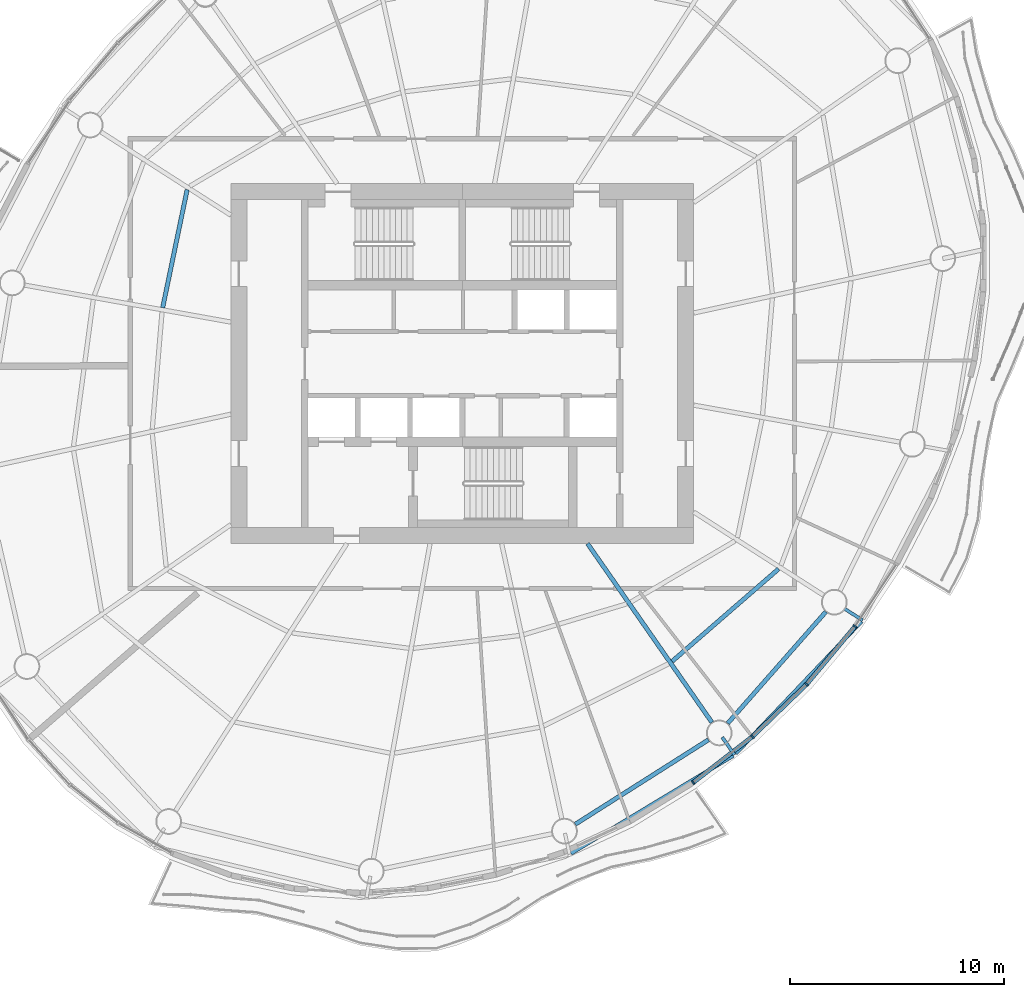
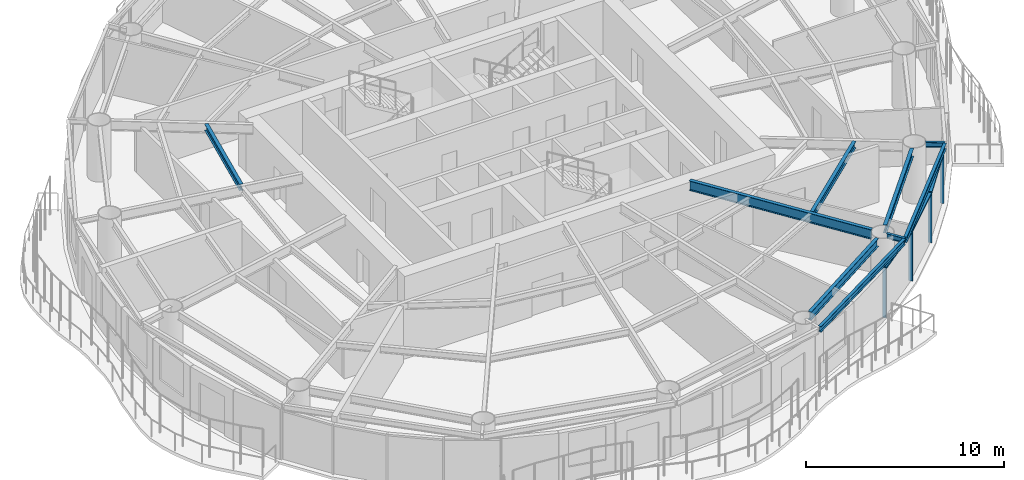
# One storey, part 3 of 15: 9 beams, 7 members, 4 elements without a shape of their own.
"""IFC4 building model written with IfcOpenShell, lengths in metres."""

from ifc_helpers import new_model, si_unit, direction, frame, origin, origin_2d, place, context, subcontext, project, spatial, rectangle, i_section, extrude, material, material_profile, profile_set, type_object, element, aggregate, save


model = new_model("IFC4")

# Units and contexts
model_context = context("Model", 3, precision=1e-05, world=origin(), true_north=direction((0.0, 1.0)))
body_context = subcontext(model_context, "Body", "Model", "MODEL_VIEW")
ifc_project = project(units=[si_unit("LENGTHUNIT", "METRE"), si_unit("AREAUNIT", "SQUARE_METRE"), si_unit("VOLUMEUNIT", "CUBIC_METRE"), si_unit("PLANEANGLEUNIT", "RADIAN"), si_unit("MASSUNIT", "GRAM", prefix="KILO")], contexts=[model_context])

# Site, building, storey
site_placement = place(None, origin())
site = spatial("IfcSite", under=ifc_project, at=site_placement, CompositionType="ELEMENT")
building_placement = place(site_placement, origin())
building = spatial("IfcBuilding", under=site, at=building_placement, Name="Vermilion Reach Broadcast Tower", CompositionType="ELEMENT")
storey_placement = place(building_placement, frame((0.0, 0.0, 220.89990234375)))
storey = spatial("IfcBuildingStorey", under=building, at=storey_placement, Name="L54", CompositionType="ELEMENT", Elevation=220.89990234375)

# Beams
ifc_material_1 = material(Name="Steel S355J2", Category="steel")
ifc_material_profile_1 = material_profile(ifc_material_1, i_section(OverallWidth=0.175048828125, OverallDepth=0.35009765625, WebThickness=0.007080078125, FlangeThickness=0.010986328125, at=origin_2d()), Name="S355J2 HN 350x175x7x11")
ifc_profile_set_1 = profile_set([ifc_material_profile_1], Name="Steel S355J2")
beam_type_1 = type_object("IfcBeamType", Name="EB4 HN 350x175x7x11", PredefinedType="BEAM", material=ifc_profile_set_1)
beam_1_placement = place(storey_placement, frame((-0.926513671875, -22.859619140625, 3.275146484375), z_axis=(0.85635221308, 0.516392183474, 0.0), x_axis=(-0.516392183474, 0.85635221308, 0.0)))
element("IfcBeam", 1, at=beam_1_placement, inside=storey, type_object=beam_type_1, Name="Edge beam EB4-11", PredefinedType="BEAM", context=body_context, shape_type="SweptSolid", body=[
    extrude(i_section(OverallWidth=0.175048828125, OverallDepth=0.35009765625, WebThickness=0.007080078125, FlangeThickness=0.010986328125, at=origin_2d()), origin(), (0.0, 0.0, 1.0), 8.83544921875),
])
beam_2_placement = place(storey_placement, frame((6.7568359375, -18.202880859375, 3.275146484375), z_axis=(0.689417470557, 0.724364239378, 0.0), x_axis=(-0.724364239378, 0.689417470557, 0.0)))
element("IfcBeam", 2, at=beam_2_placement, inside=storey, type_object=beam_type_1, Name="Edge beam EB4-12", PredefinedType="BEAM", context=body_context, shape_type="SweptSolid", body=[
    extrude(i_section(OverallWidth=0.175048828125, OverallDepth=0.35009765625, WebThickness=0.007080078125, FlangeThickness=0.010986328125, at=origin_2d()), origin(), (0.0, 0.0, 1.0), 8.51611328125),
])
ifc_material_2 = material(Name="Steel S355J2", Category="steel")
ifc_material_profile_2 = material_profile(ifc_material_2, i_section(OverallWidth=0.199951171875, OverallDepth=0.60009765625, WebThickness=0.010986328125, FlangeThickness=0.01708984375, at=origin_2d()), Name="S355J2 HN 600x200x11x17")
ifc_profile_set_2 = profile_set([ifc_material_profile_2], Name="Steel S355J2")
beam_type_2 = type_object("IfcBeamType", Name="G4 HN 600x200x11x17", PredefinedType="BEAM", material=ifc_profile_set_2)
beam_3_placement = place(storey_placement, frame((-0.1552734375, -8.39990234375, 3.150146484375), z_axis=(0.571134149017, -0.8208567377, 0.0), x_axis=(0.8208567377, 0.571134149017, 0.0)))
element("IfcBeam", 3, at=beam_3_placement, inside=storey, type_object=beam_type_2, Name="Girder G4-12", PredefinedType="BEAM", context=body_context, shape_type="SweptSolid", body=[
    extrude(i_section(OverallWidth=0.199951171875, OverallDepth=0.60009765625, WebThickness=0.010986328125, FlangeThickness=0.01708984375, at=origin_2d()), origin(), (0.0, 0.0, 1.0), 10.16552734375),
])
ifc_material_3 = material(Name="Steel S355J2", Category="steel")
ifc_material_profile_3 = material_profile(ifc_material_3, i_section(OverallWidth=0.14990234375, OverallDepth=0.300048828125, WebThickness=0.006591796875, FlangeThickness=0.009033203125, at=origin_2d()), Name="S355J2 HN 300x150x6.5x9")
ifc_profile_set_3 = profile_set([ifc_material_profile_3], Name="Steel S355J2")
beam_type_3 = type_object("IfcBeamType", Name="GS4 HN 300x150x6.5x9", PredefinedType="BEAM", material=ifc_profile_set_3)
for number, where, z_axis, x_axis, name in (
    (4, (6.1328125, -17.4375, 3.300048828125), (0.571264751294, -0.820765852073, 0.0), (0.820765852073, 0.571264751294, 0.0), "Cantilever stub GS4-12"),
    (5, (11.8388671875, -11.439208984375, 3.300048828125), (0.841796649213, -0.539794777091, 0.0), (0.539794777091, 0.841796649213, 0.0), "Cantilever stub GS4-13"),
):
    element("IfcBeam", number, at=place(storey_placement, frame(where, z_axis=z_axis, x_axis=x_axis)), inside=storey, type_object=beam_type_3, Name=name, PredefinedType="BEAM", context=body_context, shape_type="SweptSolid", body=[
        extrude(i_section(OverallWidth=0.14990234375, OverallDepth=0.300048828125, WebThickness=0.006591796875, FlangeThickness=0.009033203125, at=origin_2d()), origin(), (0.0, 0.0, 1.0), 1.0),
    ])
ifc_material_4 = material(Name="Steel S355J2", Category="steel")
ifc_material_profile_4 = material_profile(ifc_material_4, i_section(OverallWidth=0.199951171875, OverallDepth=0.5, WebThickness=0.010009765625, FlangeThickness=0.01611328125, at=origin_2d()), Name="S355J2 HN 500x200x10x16")
ifc_profile_set_4 = profile_set([ifc_material_profile_4], Name="Steel S355J2")
beam_type_4 = type_object("IfcBeamType", Name="RB4 HN 500x200x10x16", PredefinedType="BEAM", material=ifc_profile_set_4)
beam_4_placement = place(storey_placement, frame((-0.72412109375, -21.497314453125, 3.2001953125), z_axis=(0.84446426774, 0.535611893549, 0.0), x_axis=(-0.535611893549, 0.84446426774, 0.0)))
element("IfcBeam", 6, at=beam_4_placement, inside=storey, type_object=beam_type_4, Name="Ring beam RB4-11", PredefinedType="BEAM", context=body_context, shape_type="SweptSolid", body=[
    extrude(i_section(OverallWidth=0.199951171875, OverallDepth=0.5, WebThickness=0.010009765625, FlangeThickness=0.01611328125, at=origin_2d()), origin(), (0.0, 0.0, 1.0), 7.3544921875),
])
beam_5_placement = place(storey_placement, frame((6.3896484375, -16.786376953125, 3.2001953125), z_axis=(0.660565141761, 0.750768735024, 0.0), x_axis=(-0.750768735024, 0.660565141761, 0.0)))
element("IfcBeam", 7, at=beam_5_placement, inside=storey, type_object=beam_type_4, Name="Ring beam RB4-12", PredefinedType="BEAM", context=body_context, shape_type="SweptSolid", body=[
    extrude(i_section(OverallWidth=0.199951171875, OverallDepth=0.5, WebThickness=0.010009765625, FlangeThickness=0.01611328125, at=origin_2d()), origin(), (0.0, 0.0, 1.0), 6.9287109375),
])
ifc_material_5 = material(Name="Steel S355J2", Category="steel")
ifc_material_profile_5 = material_profile(ifc_material_5, i_section(OverallWidth=0.199951171875, OverallDepth=0.39990234375, WebThickness=0.008056640625, FlangeThickness=0.012939453125, at=origin_2d()), Name="S355J2 HN 400x200x8x13")
ifc_profile_set_5 = profile_set([ifc_material_profile_5], Name="Steel S355J2")
beam_type_5 = type_object("IfcBeamType", Name="SB4 HN 400x200x8x13", PredefinedType="BEAM", material=ifc_profile_set_5)
beam_6_placement = place(storey_placement, frame((-18.841064453125, 8.115478515625, 3.25), z_axis=(-0.20320860258, -0.979135467562, 0.0), x_axis=(0.979135467562, -0.20320860258, 0.0)))
element("IfcBeam", 8, at=beam_6_placement, inside=storey, type_object=beam_type_5, Name="Secondary beam SB4-05-1", PredefinedType="BEAM", context=body_context, shape_type="SweptSolid", body=[
    extrude(i_section(OverallWidth=0.199951171875, OverallDepth=0.39990234375, WebThickness=0.008056640625, FlangeThickness=0.012939453125, at=origin_2d()), origin(), (0.0, 0.0, 1.0), 5.622802734375),
])
beam_7_placement = place(storey_placement, frame((3.791259765625, -13.89697265625, 3.25), z_axis=(0.755129308567, 0.655575874589, 0.0), x_axis=(-0.655575874589, 0.755129308567, 0.0)))
element("IfcBeam", 9, at=beam_7_placement, inside=storey, type_object=beam_type_5, Name="Secondary beam SB4-12-2", PredefinedType="BEAM", context=body_context, shape_type="SweptSolid", body=[
    extrude(i_section(OverallWidth=0.199951171875, OverallDepth=0.39990234375, WebThickness=0.008056640625, FlangeThickness=0.012939453125, at=origin_2d()), origin(), (0.0, 0.0, 1.0), 6.57958984375),
])

# Curtain wall, member
ifc_material_6 = material(Name="Low-e laminated clear glass in aluminium frame", Category="aluminium")
curtain_wall_type = type_object("IfcCurtainWallType", Name="Slot curtain wall", PredefinedType="NOTDEFINED", material=ifc_material_6)
placement = place(storey_placement, origin())
curtain_wall_1 = element("IfcCurtainWall", 10, at=placement, inside=storey, type_object=curtain_wall_type, Name="Slot curtain wall L54 34", PredefinedType="NOTDEFINED")
ifc_material_7 = material(Name="Anodised aluminium", Category="aluminium")
ifc_material_profile_6 = material_profile(ifc_material_7, rectangle(XDim=0.199951171875, YDim=0.080078125, at=origin_2d()), Name="Slot mullion 80 x 200")
ifc_profile_set_6 = profile_set([ifc_material_profile_6], Name="Anodised aluminium")
member_type_1 = type_object("IfcMemberType", Name="Slot mullion 80 x 200", PredefinedType="MULLION", material=ifc_profile_set_6)
member_1_placement = place(storey_placement, frame((4.773681640625, -19.552001953125, 0.0), z_axis=(0.0, 0.0, 1.0), x_axis=(-0.56840400229, 0.822749591419, 0.0)))
member_1 = element("IfcMember", 11, at=member_1_placement, type_object=member_type_1, Name="Slot mullion L54 34", PredefinedType="MULLION", context=body_context, shape_type="SweptSolid", body=[
    extrude(rectangle(XDim=0.199951171875, YDim=0.080078125, at=origin_2d()), origin(), (0.0, 0.0, 1.0), 3.10009765625),
])

curtain_wall_2 = element("IfcCurtainWall", 12, at=placement, inside=storey, type_object=curtain_wall_type, Name="Slot curtain wall L54 35", PredefinedType="NOTDEFINED")
member_2_placement = place(storey_placement, frame((7.53857421875, -17.408447265625, 0.0), z_axis=(0.0, 0.0, 1.0), x_axis=(-0.654398669834, 0.756149708007, 0.0)))
member_2 = element("IfcMember", 13, at=member_2_placement, type_object=member_type_1, Name="Slot mullion L54 35", PredefinedType="MULLION", context=body_context, shape_type="SweptSolid", body=[
    extrude(rectangle(XDim=0.199951171875, YDim=0.080078125, at=origin_2d()), origin(), (0.0, 0.0, 1.0), 3.10009765625),
])

curtain_wall_3 = element("IfcCurtainWall", 14, at=placement, inside=storey, type_object=curtain_wall_type, Name="Slot curtain wall L54 36", PredefinedType="NOTDEFINED")
member_3_placement = place(storey_placement, frame((10.0712890625, -14.9658203125, 0.0), z_axis=(0.0, 0.0, 1.0), x_axis=(-0.731829657842, 0.681487602164, 0.0)))
member_3 = element("IfcMember", 15, at=member_3_placement, type_object=member_type_1, Name="Slot mullion L54 36", PredefinedType="MULLION", context=body_context, shape_type="SweptSolid", body=[
    extrude(rectangle(XDim=0.199951171875, YDim=0.080078125, at=origin_2d()), origin(), (0.0, 0.0, 1.0), 3.10009765625),
])

curtain_wall_4 = element("IfcCurtainWall", 16, at=placement, inside=storey, type_object=curtain_wall_type, Name="Slot curtain wall L54 37", PredefinedType="NOTDEFINED")
member_4_placement = place(storey_placement, frame((12.32763671875, -12.265869140625, 0.0), z_axis=(0.0, 0.0, 1.0), x_axis=(-0.800793288516, 0.598940822675, 0.0)))
member_4 = element("IfcMember", 17, at=member_4_placement, type_object=member_type_1, Name="Slot mullion L54 37", PredefinedType="MULLION", context=body_context, shape_type="SweptSolid", body=[
    extrude(rectangle(XDim=0.199951171875, YDim=0.080078125, at=origin_2d()), origin(), (0.0, 0.0, 1.0), 3.10009765625),
])
aggregate(curtain_wall_4, [member_4])

# Member
ifc_material_8 = material(Name="Anodised aluminium", Category="aluminium")
ifc_material_profile_7 = material_profile(ifc_material_8, rectangle(XDim=0.199951171875, YDim=0.10009765625, at=origin_2d()), Name="Slot transom 200 x 100")
ifc_profile_set_7 = profile_set([ifc_material_profile_7], Name="Anodised aluminium")
member_type_2 = type_object("IfcMemberType", Name="Slot transom 200 x 100", PredefinedType="USERDEFINED", material=ifc_profile_set_7)
member_5_placement = place(storey_placement, frame((4.80517578125, -19.52734375, 3.050048828125), z_axis=(0.790343297717, 0.612664240636, 0.0), x_axis=(-0.612664240636, 0.790343297717, 0.0)))
member_5 = element("IfcMember", 18, at=member_5_placement, type_object=member_type_2, Name="Slot transom L54 34.1", ObjectType="TRANSOM", PredefinedType="USERDEFINED", context=body_context, shape_type="SweptSolid", body=[
    extrude(rectangle(XDim=0.199951171875, YDim=0.10009765625, at=origin_2d()), origin(), (0.0, 0.0, 1.0), 3.418701171875),
])

aggregate(curtain_wall_1, [member_1, member_5])

member_6_placement = place(storey_placement, frame((7.5673828125, -17.380615234375, 3.050048828125), z_axis=(0.719770807051, 0.694211772672, 0.0), x_axis=(-0.694211772672, 0.719770807051, 0.0)))
member_6 = element("IfcMember", 19, at=member_6_placement, type_object=member_type_2, Name="Slot transom L54 35.1", ObjectType="TRANSOM", PredefinedType="USERDEFINED", context=body_context, shape_type="SweptSolid", body=[
    extrude(rectangle(XDim=0.199951171875, YDim=0.10009765625, at=origin_2d()), origin(), (0.0, 0.0, 1.0), 3.438720703125),
])

aggregate(curtain_wall_2, [member_2, member_6])

member_7_placement = place(storey_placement, frame((10.096923828125, -14.93505859375, 3.050048828125), z_axis=(0.641245252484, 0.767335993008, 0.0), x_axis=(-0.767335993008, 0.641245252484, 0.0)))
member_7 = element("IfcMember", 20, at=member_7_placement, type_object=member_type_2, Name="Slot transom L54 36.1", ObjectType="TRANSOM", PredefinedType="USERDEFINED", context=body_context, shape_type="SweptSolid", body=[
    extrude(rectangle(XDim=0.199951171875, YDim=0.10009765625, at=origin_2d()), origin(), (0.0, 0.0, 1.0), 3.438720703125),
])

aggregate(curtain_wall_3, [member_3, member_7])

save(model, "model.ifc")
